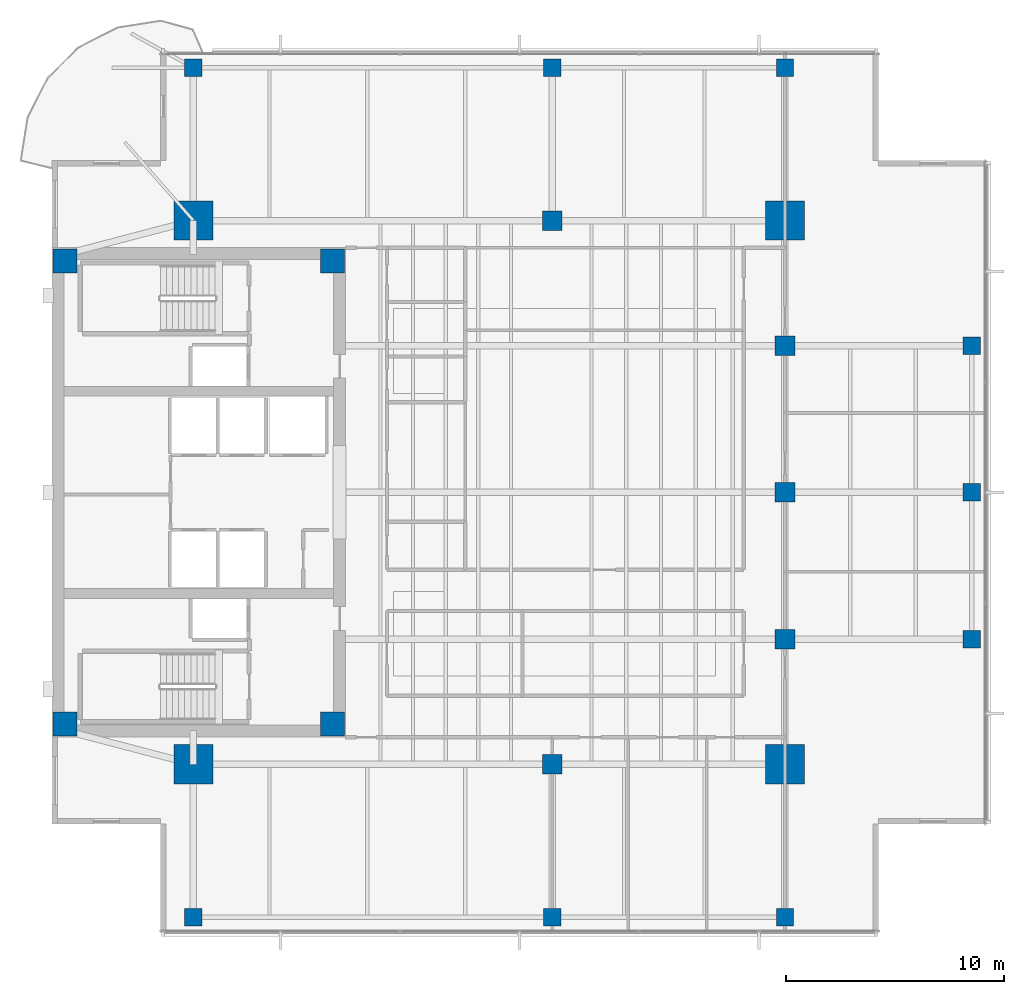
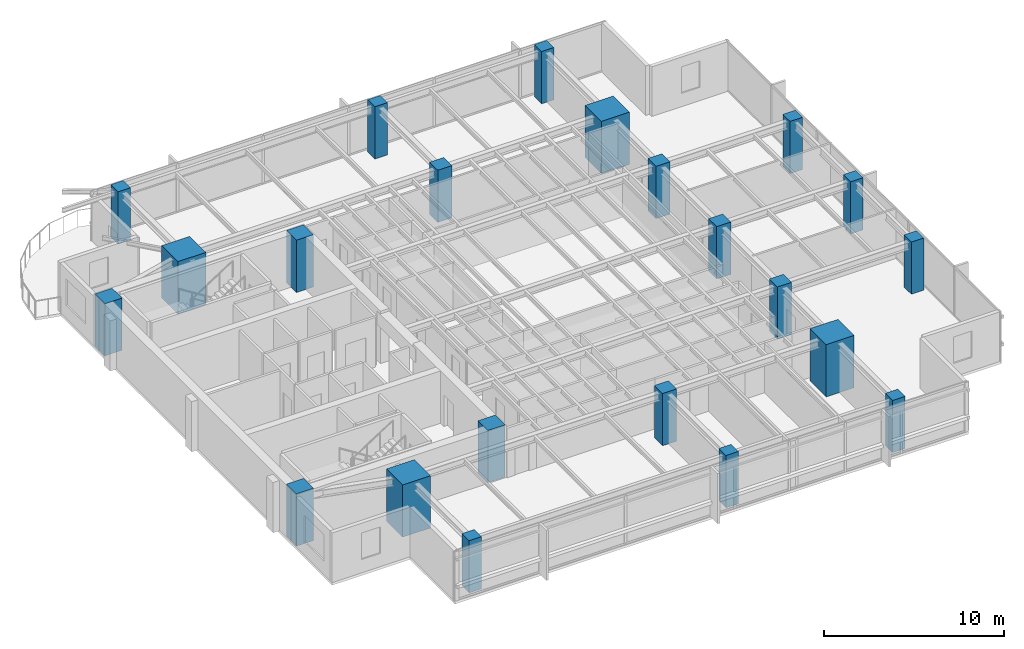
# One storey, part 1 of 14: 22 columns.
"""IFC4 building model written with IfcOpenShell, lengths in metres."""

import ifcopenshell
import ifcopenshell.guid

model = None  # the IFC model being written
_history = None  # IfcOwnerHistory: only IFC2X3 demands one
_inside = {}  # id of a spatial element -> (the spatial element, [elements in it])
_under = {}  # id of a project, library or spatial element -> (it, [spatial elements below it])
_declared = {}  # id of a project -> (the project, [libraries it declares])
_typed = {}  # id of a type object -> (the type object, [elements of that type])
_made_of = {}  # id of a material, layer set ... -> (it, [elements and type objects made of it])


def new_model(schema):
    """Start an empty IFC model of exactly this schema.

    Asked for "IFC4X3", IfcOpenShell would pick the latest addendum, in which some entities
    have other attributes; the version numbers below select the first issue.
    IFC2X3 requires an IfcOwnerHistory on every rooted entity: one is made here for all.
    """
    global model, _history
    if schema == "IFC4X3":
        model = ifcopenshell.file(schema_version=(4, 3, 0, 0))
    else:
        model = ifcopenshell.file(schema=schema)
    _inside.clear()
    _under.clear()
    _declared.clear()
    _typed.clear()
    _made_of.clear()
    _history = None
    if model.schema == "IFC2X3":
        org = make("IfcOrganization", Name="unknown")
        user = make(
            "IfcPersonAndOrganization",
            ThePerson=make("IfcPerson", FamilyName="unknown"),
            TheOrganization=org,
        )
        app = make(
            "IfcApplication",
            ApplicationDeveloper=org,
            Version="unknown",
            ApplicationFullName="unknown",
            ApplicationIdentifier="unknown",
        )
        _history = make(
            "IfcOwnerHistory",
            OwningUser=user,
            OwningApplication=app,
            ChangeAction="ADDED",
            CreationDate=0,
        )
    return model


def make(cls, **values):
    """One entity of the class cls with the attributes given. An attribute that is None is left unset."""
    return model.create_entity(
        cls, **{name: value for name, value in values.items() if value is not None}
    )


def rooted(cls, **values):
    """An entity with a GlobalId (a new one), such as an element, a storey or a relation."""
    return make(cls, GlobalId=ifcopenshell.guid.new(), OwnerHistory=_history, **values)


def si_unit(unit_type, name, prefix=None):
    """IfcSIUnit, for example si_unit("LENGTHUNIT", "METRE", prefix="MILLI")."""
    return make("IfcSIUnit", UnitType=unit_type, Prefix=prefix, Name=name)


def assignment(units):
    """IfcUnitAssignment: the units of a project."""
    return None if units is None else make("IfcUnitAssignment", Units=units)


def point(xyz):
    """IfcCartesianPoint."""
    return None if xyz is None else make("IfcCartesianPoint", Coordinates=xyz)


def direction(xyz):
    """IfcDirection."""
    return None if xyz is None else make("IfcDirection", DirectionRatios=xyz)


def frame(location, z_axis=None, x_axis=None):
    """IfcAxis2Placement3D, a coordinate frame: its origin and axes. An axis left out is left unset."""
    return make(
        "IfcAxis2Placement3D",
        Location=point(location),
        Axis=direction(z_axis),
        RefDirection=direction(x_axis),
    )


def frame_2d(location, x_axis=None):
    """IfcAxis2Placement2D, a coordinate frame in the plane: its origin and x axis."""
    return make(
        "IfcAxis2Placement2D", Location=point(location), RefDirection=direction(x_axis)
    )


def origin():
    """The frame at (0, 0, 0) with its axes left unset."""
    return frame((0.0, 0.0, 0.0))


def origin_2d():
    """The frame at (0, 0) in the plane with its x axis left unset."""
    return frame_2d((0.0, 0.0))


def place(relative_to, where):
    """IfcLocalPlacement: puts the frame where relative to a parent placement (None: the world)."""
    return make(
        "IfcLocalPlacement", PlacementRelTo=relative_to, RelativePlacement=where
    )


def context(
    kind, dimensions, precision=None, world=None, true_north=None, identifier=None
):
    """IfcGeometricRepresentationContext, for example the 3D "Model" context."""
    return make(
        "IfcGeometricRepresentationContext",
        ContextIdentifier=identifier,
        ContextType=kind,
        CoordinateSpaceDimension=dimensions,
        Precision=precision,
        WorldCoordinateSystem=world,
        TrueNorth=true_north,
    )


def subcontext(parent, identifier, kind, view, scale=None):
    """IfcGeometricRepresentationSubContext, for example "Body" below "Model"."""
    return make(
        "IfcGeometricRepresentationSubContext",
        ContextIdentifier=identifier,
        ContextType=kind,
        ParentContext=parent,
        TargetScale=scale,
        TargetView=view,
    )


def project(units=None, contexts=None):
    """IfcProject with its units and contexts."""
    return rooted(
        "IfcProject",
        Name="project",
        RepresentationContexts=contexts,
        UnitsInContext=assignment(units),
    )


def spatial(cls, under=None, at=None, **own):
    """A site, building, storey or space (cls), placed at a placement, below another one or the project."""
    s = rooted(cls, ObjectPlacement=at, **own)
    if under is not None:
        _under.setdefault(under.id(), (under, []))[1].append(s)
    return s


def profile(cls, at=None, kind="AREA", **sizes):
    """A parametric profile (cls). Its sizes go by their IFC names, for example OverallWidth=200.0."""
    return make(cls, ProfileType=kind, Position=at, **sizes)


def rectangle(**sizes):
    """IfcRectangleProfileDef."""
    return profile("IfcRectangleProfileDef", **sizes)


def extrude(swept, where, along, depth):
    """IfcExtrudedAreaSolid: the profile swept, set in the frame where, extruded along a direction by depth."""
    return make(
        "IfcExtrudedAreaSolid",
        SweptArea=swept,
        Position=where,
        ExtrudedDirection=direction(along),
        Depth=depth,
    )


def shape(context_of_items, identifier, shape_type, items):
    """IfcShapeRepresentation: the items that make up one representation, for example the "Body"."""
    return make(
        "IfcShapeRepresentation",
        ContextOfItems=context_of_items,
        RepresentationIdentifier=identifier,
        RepresentationType=shape_type,
        Items=items,
    )


def material(Name=None, Category=None):
    """IfcMaterial."""
    return make("IfcMaterial", Name=Name, Category=Category)


def material_profile(
    of_material, cross_section, Name=None, Category=None, Priority=None
):
    """IfcMaterialProfile: a cross section and its material."""
    return make(
        "IfcMaterialProfile",
        Name=Name,
        Material=of_material,
        Profile=cross_section,
        Priority=Priority,
        Category=Category,
    )


def profile_set(profiles, Name=None, composite=None):
    """IfcMaterialProfileSet."""
    return make(
        "IfcMaterialProfileSet",
        Name=Name,
        MaterialProfiles=profiles,
        CompositeProfile=composite,
    )


def made_of(thing, what):
    """Note that an element or type object is made of a material, layer set ...; save() writes the relation."""
    if what is not None:
        _made_of.setdefault(what.id(), (what, []))[1].append(thing)
    return thing


def type_object(cls, material=None, **own):
    """A type object (cls), such as IfcWallType, which elements share."""
    return made_of(rooted(cls, **own), material)


def element(
    cls,
    number,
    at=None,
    inside=None,
    cuts=None,
    type_object=None,
    material=None,
    context=None,
    identifier="Body",
    shape_type=None,
    held_by="IfcProductDefinitionShape",
    body=None,
    shapes=None,
    **own,
):
    """One element of the class cls, such as IfcWall. Its Tag is "e" and its number.

    at: its placement. inside: the storey or other place that contains it. cuts: it is an
    opening in that element (IfcRelVoidsElement). A single representation is given by context,
    identifier, shape_type and body (its items); several are given by shapes. held_by: the class
    of the entity that holds the representations. save() writes the other relations.
    """
    e = rooted(cls, Tag="e%d" % number, ObjectPlacement=at, **own)
    if body is not None:
        shapes = [shape(context, identifier, shape_type, body)]
    if shapes is not None:
        e.Representation = make(held_by, Representations=shapes)
    if inside is not None:
        _inside.setdefault(inside.id(), (inside, []))[1].append(e)
    if cuts is not None:
        rooted(
            "IfcRelVoidsElement", RelatingBuildingElement=cuts, RelatedOpeningElement=e
        )
    if type_object is not None:
        _typed.setdefault(type_object.id(), (type_object, []))[1].append(e)
    return made_of(e, material)


def aggregate(whole, parts):
    """IfcRelAggregates: a whole, such as a stair, and the parts it consists of."""
    return rooted("IfcRelAggregates", RelatingObject=whole, RelatedObjects=parts)


def save(model, path):
    """Write the relations noted so far, then the file.

    IfcRelAggregates (storeys below a building ...), IfcRelContainedInSpatialStructure (elements
    in a storey), IfcRelDefinesByType, IfcRelAssociatesMaterial and IfcRelDeclares: one each for
    every whole, place, type object, material and project.
    """
    for whole, parts in _under.values():
        aggregate(whole, parts)
    for where, things in _inside.values():
        rooted(
            "IfcRelContainedInSpatialStructure",
            RelatedElements=things,
            RelatingStructure=where,
        )
    for kind, things in _typed.values():
        rooted("IfcRelDefinesByType", RelatedObjects=things, RelatingType=kind)
    for what, things in _made_of.values():
        rooted("IfcRelAssociatesMaterial", RelatedObjects=things, RelatingMaterial=what)
    for by, libraries in _declared.values():
        rooted("IfcRelDeclares", RelatingContext=by, RelatedDefinitions=libraries)
    model.write(path)


model = new_model("IFC4")

# Units and contexts
model_context = context("Model", 3, precision=1e-05, world=origin(), true_north=direction((0.0, 1.0)))
body_context = subcontext(model_context, "Body", "Model", "MODEL_VIEW")
ifc_project = project(units=[si_unit("LENGTHUNIT", "METRE"), si_unit("AREAUNIT", "SQUARE_METRE"), si_unit("VOLUMEUNIT", "CUBIC_METRE"), si_unit("PLANEANGLEUNIT", "RADIAN"), si_unit("MASSUNIT", "GRAM", prefix="KILO")], contexts=[model_context])

# Site, building, storey
site_placement = place(None, origin())
site = spatial("IfcSite", under=ifc_project, at=site_placement, CompositionType="ELEMENT")
building_placement = place(site_placement, origin())
building = spatial("IfcBuilding", under=site, at=building_placement, Name="Kinhvarn Gate Tower", CompositionType="ELEMENT")
storey_placement = place(building_placement, frame((0.0, 0.0, 230.64990234375)))
storey = spatial("IfcBuildingStorey", under=building, at=storey_placement, Name="L61", CompositionType="ELEMENT", Elevation=230.64990234375)

# Columns
ifc_material_1 = material(Name="Concrete C60/75", Category="concrete")
ifc_material_profile_1 = material_profile(ifc_material_1, rectangle(XDim=1.800048828125, YDim=1.800048828125, at=origin_2d()), Name="RC 1800x1800")
ifc_profile_set_1 = profile_set([ifc_material_profile_1], Name="Concrete C60/75")
column_type_1 = type_object("IfcColumnType", Name="COL-MC-1800", PredefinedType="COLUMN", material=ifc_profile_set_1)
for number, where, z_axis, x_axis, name in (
    (1, (11.0, 12.75, 0.0), (0.0, 0.0, 1.0), (1.0, 0.0, 0.0), "Column MC1-L61 (MC-18)"),
    (2, (11.0, 37.75, 0.0), (0.0, 0.0, 1.0), (1.0, 0.0, 0.0), "Column MC4-L61 (MC-18)"),
    (3, (38.199951171875, 12.75, 0.0), (0.0, 0.0, 1.0), (1.0, 0.0, 0.0), "Column MC2-L61 (MC-18)"),
    (4, (38.199951171875, 37.75, 0.0), (0.0, 0.0, 1.0), (1.0, 0.0, 0.0), "Column MC3-L61 (MC-18)"),
):
    element("IfcColumn", number, at=place(storey_placement, frame(where, z_axis=z_axis, x_axis=x_axis)), inside=storey, type_object=column_type_1, Name=name, PredefinedType="COLUMN", context=body_context, shape_type="SweptSolid", body=[
        extrude(rectangle(XDim=1.800048828125, YDim=1.800048828125, at=origin_2d()), origin(), (0.0, 0.0, 1.0), 3.550048828125),
    ])
ifc_material_2 = material(Name="Concrete C50/60", Category="concrete")
ifc_material_profile_2 = material_profile(ifc_material_2, rectangle(XDim=0.800048828125, YDim=0.800048828125, at=origin_2d()), Name="RC 800x800")
ifc_profile_set_2 = profile_set([ifc_material_profile_2], Name="Concrete C50/60")
column_type_2 = type_object("IfcColumnType", Name="COL-RC-800", PredefinedType="COLUMN", material=ifc_profile_set_2)
for number, where, z_axis, x_axis, name in (
    (5, (46.780029296875, 18.5, 0.0), (0.0, 0.0, 1.0), (1.0, 0.0, 0.0), "Column CE-1-L61 (C-080)"),
    (6, (46.780029296875, 25.25, 0.0), (0.0, 0.0, 1.0), (1.0, 0.0, 0.0), "Column CE-2-L61 (C-080)"),
    (7, (46.780029296875, 32.0, 0.0), (0.0, 0.0, 1.0), (1.0, 0.0, 0.0), "Column CE-3-L61 (C-080)"),
    (8, (11.0, 5.719970703125, 0.0), (0.0, 0.0, 1.0), (1.0, 0.0, 0.0), "Column CS-0-L61 (C-080)"),
    (9, (27.5, 5.719970703125, 0.0), (0.0, 0.0, 1.0), (1.0, 0.0, 0.0), "Column CS-1-L61 (C-080)"),
    (10, (38.199951171875, 5.719970703125, 0.0), (0.0, 0.0, 1.0), (1.0, 0.0, 0.0), "Column CS-2-L61 (C-080)"),
    (11, (11.0, 44.780029296875, 0.0), (0.0, 0.0, 1.0), (1.0, 0.0, 0.0), "Column CN-0-L61 (C-080)"),
    (12, (27.5, 44.780029296875, 0.0), (0.0, 0.0, 1.0), (1.0, 0.0, 0.0), "Column CN-1-L61 (C-080)"),
    (13, (38.199951171875, 44.780029296875, 0.0), (0.0, 0.0, 1.0), (1.0, 0.0, 0.0), "Column CN-2-L61 (C-080)"),
):
    element("IfcColumn", number, at=place(storey_placement, frame(where, z_axis=z_axis, x_axis=x_axis)), inside=storey, type_object=column_type_2, Name=name, PredefinedType="COLUMN", context=body_context, shape_type="SweptSolid", body=[
        extrude(rectangle(XDim=0.800048828125, YDim=0.800048828125, at=origin_2d()), origin(), (0.0, 0.0, 1.0), 3.550048828125),
    ])
ifc_material_profile_3 = material_profile(ifc_material_1, rectangle(XDim=0.89990234375, YDim=0.89990234375, at=origin_2d()), Name="RC 900x900")
ifc_profile_set_3 = profile_set([ifc_material_profile_3], Name="Concrete C60/75")
column_type_3 = type_object("IfcColumnType", Name="COL-RC-900", PredefinedType="COLUMN", material=ifc_profile_set_3)
for number, where, z_axis, x_axis, name in (
    (14, (27.5, 12.75, 0.0), (0.0, 0.0, 1.0), (1.0, 0.0, 0.0), "Column SP27-S-L61 (C-090)"),
    (15, (27.5, 37.75, 0.0), (0.0, 0.0, 1.0), (1.0, 0.0, 0.0), "Column SP27-N-L61 (C-090)"),
    (16, (38.199951171875, 18.5, 0.0), (0.0, 0.0, 1.0), (1.0, 0.0, 0.0), "Column SP38-E1-L61 (C-090)"),
    (17, (38.199951171875, 25.25, 0.0), (0.0, 0.0, 1.0), (1.0, 0.0, 0.0), "Column SP38-E2-L61 (C-090)"),
    (18, (38.199951171875, 32.0, 0.0), (0.0, 0.0, 1.0), (1.0, 0.0, 0.0), "Column SP38-E3-L61 (C-090)"),
):
    element("IfcColumn", number, at=place(storey_placement, frame(where, z_axis=z_axis, x_axis=x_axis)), inside=storey, type_object=column_type_3, Name=name, PredefinedType="COLUMN", context=body_context, shape_type="SweptSolid", body=[
        extrude(rectangle(XDim=0.89990234375, YDim=0.89990234375, at=origin_2d()), origin(), (0.0, 0.0, 1.0), 3.550048828125),
    ])
ifc_material_profile_4 = material_profile(ifc_material_1, rectangle(XDim=1.10009765625, YDim=1.10009765625, at=origin_2d()), Name="RC 1100x1100")
ifc_profile_set_4 = profile_set([ifc_material_profile_4], Name="Concrete C60/75")
column_type_4 = type_object("IfcColumnType", Name="PIL-RC-1100", PredefinedType="PILASTER", material=ifc_profile_set_4)
for number, where, z_axis, x_axis, name in (
    (19, (5.10009765625, 14.60009765625, 0.0), (0.0, 0.0, 1.0), (1.0, 0.0, 0.0), "Column CC-SW-L61 (CP-110)"),
    (20, (5.10009765625, 35.89990234375, 0.0), (0.0, 0.0, 1.0), (1.0, 0.0, 0.0), "Column CC-NW-L61 (CP-110)"),
    (21, (17.39990234375, 14.60009765625, 0.0), (0.0, 0.0, 1.0), (1.0, 0.0, 0.0), "Column CC-SE-L61 (CP-110)"),
    (22, (17.39990234375, 35.89990234375, 0.0), (0.0, 0.0, 1.0), (1.0, 0.0, 0.0), "Column CC-NE-L61 (CP-110)"),
):
    element("IfcColumn", number, at=place(storey_placement, frame(where, z_axis=z_axis, x_axis=x_axis)), inside=storey, type_object=column_type_4, Name=name, PredefinedType="PILASTER", context=body_context, shape_type="SweptSolid", body=[
        extrude(rectangle(XDim=1.10009765625, YDim=1.10009765625, at=origin_2d()), origin(), (0.0, 0.0, 1.0), 3.550048828125),
    ])

save(model, "model.ifc")
